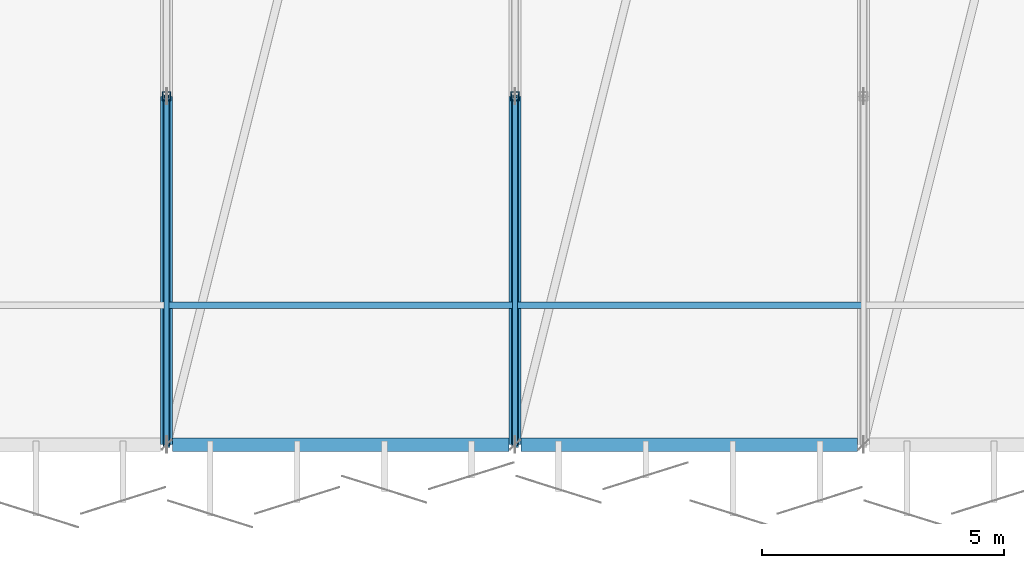
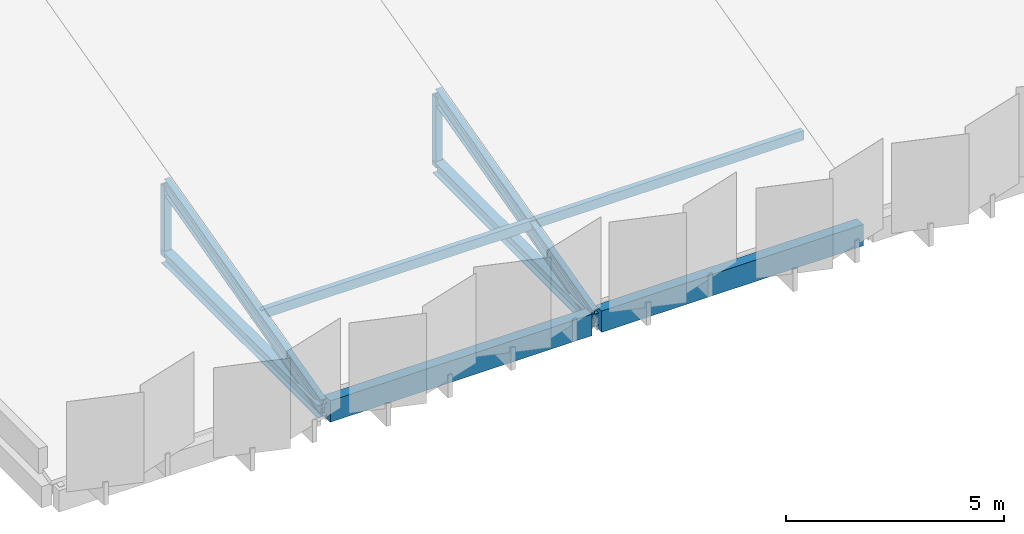
# One storey, part 18 of 108: 10 members, 2 beams.
"""IFC4 building model written with IfcOpenShell, lengths in metres."""

from ifc_helpers import new_model, si_unit, direction, frame, origin, origin_2d, place, context, subcontext, project, spatial, rectangle, hollow_rectangle, i_section, extrude, material, material_profile, profile_set, type_object, element, save


model = new_model("IFC4")

# Units and contexts
model_context = context("Model", 3, precision=1e-05, world=origin(), true_north=direction((0.0, 1.0)))
body_context = subcontext(model_context, "Body", "Model", "MODEL_VIEW")
ifc_project = project(units=[si_unit("LENGTHUNIT", "METRE"), si_unit("AREAUNIT", "SQUARE_METRE"), si_unit("VOLUMEUNIT", "CUBIC_METRE"), si_unit("PLANEANGLEUNIT", "RADIAN"), si_unit("MASSUNIT", "GRAM", prefix="KILO")], contexts=[model_context])

# Site, building, storey
site_placement = place(None, origin())
site = spatial("IfcSite", under=ifc_project, at=site_placement, CompositionType="ELEMENT")
building_placement = place(site_placement, origin())
building = spatial("IfcBuilding", under=site, at=building_placement, Name="Kangsadwip Square Police Headquarters", CompositionType="ELEMENT")
storey_placement = place(building_placement, frame((0.0, 0.0, 9.449951171875)))
storey = spatial("IfcBuildingStorey", under=building, at=storey_placement, Name="L02", CompositionType="ELEMENT", Elevation=9.449951171875)

# Beams
ifc_material_1 = material(Name="Concrete M40 (40 MPa)", Category="concrete")
ifc_material_profile_1 = material_profile(ifc_material_1, rectangle(XDim=0.280029296875, YDim=0.60009765625, at=origin_2d()), Name="RC SPN 600X280")
ifc_profile_set_1 = profile_set([ifc_material_profile_1], Name="Concrete M40 (40 MPa)")
beam_type = type_object("IfcBeamType", Name="RcSpandrel600x280", PredefinedType="SPANDREL", material=ifc_profile_set_1)
beam_1_placement = place(storey_placement, frame((50.52490234375, 86.39990234375, -0.5400390625), z_axis=(1.0, 0.0, 0.0), x_axis=(0.0, 1.0, 0.0)))
element("IfcBeam", 1, at=beam_1_placement, inside=storey, type_object=beam_type, Name="Beam BM-L02-X-07-12", PredefinedType="SPANDREL", context=body_context, shape_type="SweptSolid", body=[
    extrude(rectangle(XDim=0.280029296875, YDim=0.60009765625, at=origin_2d()), origin(), (0.0, 0.0, 1.0), 6.9501953125),
])
beam_2_placement = place(storey_placement, frame((57.72509765625, 86.39990234375, -0.5400390625), z_axis=(1.0, 0.0, 0.0), x_axis=(0.0, 1.0, 0.0)))
element("IfcBeam", 2, at=beam_2_placement, inside=storey, type_object=beam_type, Name="Beam BM-L02-X-08-12", PredefinedType="SPANDREL", context=body_context, shape_type="SweptSolid", body=[
    extrude(rectangle(XDim=0.280029296875, YDim=0.60009765625, at=origin_2d()), origin(), (0.0, 0.0, 1.0), 6.949951171875),
])

# Members
ifc_material_2 = material(Name="Structural steel IS 2062 E350 (Grade 350, 350 MPa)", Category="steel")
ifc_material_profile_2 = material_profile(ifc_material_2, hollow_rectangle(XDim=0.139892578125, YDim=0.260009765625, WallThickness=0.010009765625, at=origin_2d()), Name="RHS 260X140X10")
ifc_profile_set_2 = profile_set([ifc_material_profile_2], Name="Structural steel IS 2062 E350 (Grade 350, 350 MPa)")
member_type_1 = type_object("IfcMemberType", Name="RoofPurlinRhs260", PredefinedType="PURLIN", material=ifc_profile_set_2)
member_1_placement = place(storey_placement, frame((50.39990234375, 89.280029296875, 0.429931640625), z_axis=(1.0, 0.0, 0.0), x_axis=(0.0, 1.0, 0.0)))
element("IfcMember", 3, at=member_1_placement, inside=storey, type_object=member_type_1, Name="Truss Member MEM-L02-0084", PredefinedType="PURLIN", context=body_context, shape_type="SweptSolid", body=[
    extrude(hollow_rectangle(XDim=0.139892578125, YDim=0.260009765625, WallThickness=0.010009765625, at=origin_2d()), origin(), (0.0, 0.0, 1.0), 7.2001953125),
])
member_2_placement = place(storey_placement, frame((57.60009765625, 89.280029296875, 0.429931640625), z_axis=(1.0, 0.0, 0.0), x_axis=(0.0, 1.0, 0.0)))
element("IfcMember", 4, at=member_2_placement, inside=storey, type_object=member_type_1, Name="Truss Member MEM-L02-0090", PredefinedType="PURLIN", context=body_context, shape_type="SweptSolid", body=[
    extrude(hollow_rectangle(XDim=0.139892578125, YDim=0.260009765625, WallThickness=0.010009765625, at=origin_2d()), origin(), (0.0, 0.0, 1.0), 7.199951171875),
])
ifc_material_3 = material(Name="Structural steel IS 2062 E350 (Grade 350, 350 MPa)", Category="steel")
ifc_material_profile_3 = material_profile(ifc_material_3, i_section(OverallWidth=0.14990234375, OverallDepth=0.449951171875, WebThickness=0.009521484375, FlangeThickness=0.017333984375, at=origin_2d()), Name="ISMB 450")
ifc_profile_set_3 = profile_set([ifc_material_profile_3], Name="Structural steel IS 2062 E350 (Grade 350, 350 MPa)")
member_type_2 = type_object("IfcMemberType", Name="SawtoothRafterIsmb450", PredefinedType="RAFTER", material=ifc_profile_set_3)
for number, where, z_axis, x_axis, name in (
    (5, (50.39990234375, 86.39990234375, -0.419921875), (0.0, 0.968545642507, 0.248835966814), (-1.0, 0.0, 0.0), "Truss Member MEM-L02-0007"),
    (6, (57.60009765625, 86.39990234375, -0.419921875), (0.0, 0.968545642507, 0.248835966814), (-1.0, 0.0, 0.0), "Truss Member MEM-L02-0019"),
):
    element("IfcMember", number, at=place(storey_placement, frame(where, z_axis=z_axis, x_axis=x_axis)), inside=storey, type_object=member_type_2, Name=name, PredefinedType="RAFTER", context=body_context, shape_type="SweptSolid", body=[
        extrude(i_section(OverallWidth=0.14990234375, OverallDepth=0.449951171875, WebThickness=0.009521484375, FlangeThickness=0.017333984375, at=origin_2d()), origin(), (0.0, 0.0, 1.0), 7.43408203125),
    ])
ifc_material_4 = material(Name="Structural steel IS 2062 E350 (Grade 350, 350 MPa)", Category="steel")
ifc_material_profile_4 = material_profile(ifc_material_4, i_section(OverallWidth=0.25, OverallDepth=0.35009765625, WebThickness=0.010009765625, FlangeThickness=0.01171875, at=origin_2d()), Name="ISHB 350")
ifc_profile_set_4 = profile_set([ifc_material_profile_4], Name="Structural steel IS 2062 E350 (Grade 350, 350 MPa)")
member_type_3 = type_object("IfcMemberType", Name="TrussBotChordIshb350", PredefinedType="CHORD", material=ifc_profile_set_4)
for number, where, z_axis, x_axis, name in (
    (7, (50.39990234375, 86.39990234375, -0.550048828125), (0.0, 1.0, 0.0), (-1.0, 0.0, 0.0), "Truss Member MEM-L02-0004"),
    (8, (57.60009765625, 86.39990234375, -0.550048828125), (0.0, 1.0, 0.0), (-1.0, 0.0, 0.0), "Truss Member MEM-L02-0016"),
):
    element("IfcMember", number, at=place(storey_placement, frame(where, z_axis=z_axis, x_axis=x_axis)), inside=storey, type_object=member_type_3, Name=name, PredefinedType="CHORD", context=body_context, shape_type="SweptSolid", body=[
        extrude(i_section(OverallWidth=0.25, OverallDepth=0.35009765625, WebThickness=0.010009765625, FlangeThickness=0.01171875, at=origin_2d()), origin(), (0.0, 0.0, 1.0), 7.2001953125),
    ])
ifc_material_5 = material(Name="Structural steel IS 2062 E350 (Grade 350, 350 MPa)", Category="steel")
ifc_material_profile_5 = material_profile(ifc_material_5, hollow_rectangle(XDim=0.10009765625, YDim=0.199951171875, WallThickness=0.008056640625, at=origin_2d()), Name="RHS 200X100X8")
ifc_profile_set_5 = profile_set([ifc_material_profile_5], Name="Structural steel IS 2062 E350 (Grade 350, 350 MPa)")
member_type_4 = type_object("IfcMemberType", Name="TrussBraceRhs200", PredefinedType="BRACE", material=ifc_profile_set_5)
for number, where, z_axis, x_axis, name in (
    (9, (50.39990234375, 86.39990234375, -0.550048828125), (0.0, 0.964207900368, 0.265147364437), (-1.0, 0.0, 0.0), "Truss Member MEM-L02-0013"),
    (10, (57.60009765625, 86.39990234375, -0.550048828125), (0.0, 0.964207900368, 0.265147364437), (-1.0, 0.0, 0.0), "Truss Member MEM-L02-0025"),
):
    element("IfcMember", number, at=place(storey_placement, frame(where, z_axis=z_axis, x_axis=x_axis)), inside=storey, type_object=member_type_4, Name=name, PredefinedType="BRACE", context=body_context, shape_type="SweptSolid", body=[
        extrude(hollow_rectangle(XDim=0.10009765625, YDim=0.199951171875, WallThickness=0.008056640625, at=origin_2d()), origin(), (0.0, 0.0, 1.0), 7.467529296875),
    ])
ifc_material_6 = material(Name="Structural steel IS 2062 E350 (Grade 350, 350 MPa)", Category="steel")
ifc_material_profile_6 = material_profile(ifc_material_6, hollow_rectangle(XDim=0.179931640625, YDim=0.179931640625, WallThickness=0.010009765625, at=origin_2d()), Name="SHS 180X180X10")
ifc_profile_set_6 = profile_set([ifc_material_profile_6], Name="Structural steel IS 2062 E350 (Grade 350, 350 MPa)")
member_type_5 = type_object("IfcMemberType", Name="TrussPostShs180", PredefinedType="POST", material=ifc_profile_set_6)
for number, where, z_axis, x_axis, name in (
    (11, (50.39990234375, 93.60009765625, -0.550048828125), (0.0, 0.0, 1.0), (1.0, 0.0, 0.0), "Truss Member MEM-L02-0010"),
    (12, (57.60009765625, 93.60009765625, -0.550048828125), (0.0, 0.0, 1.0), (1.0, 0.0, 0.0), "Truss Member MEM-L02-0022"),
):
    element("IfcMember", number, at=place(storey_placement, frame(where, z_axis=z_axis, x_axis=x_axis)), inside=storey, type_object=member_type_5, Name=name, PredefinedType="POST", context=body_context, shape_type="SweptSolid", body=[
        extrude(hollow_rectangle(XDim=0.179931640625, YDim=0.179931640625, WallThickness=0.010009765625, at=origin_2d()), origin(), (0.0, 0.0, 1.0), 1.97998046875),
    ])

save(model, "model.ifc")
